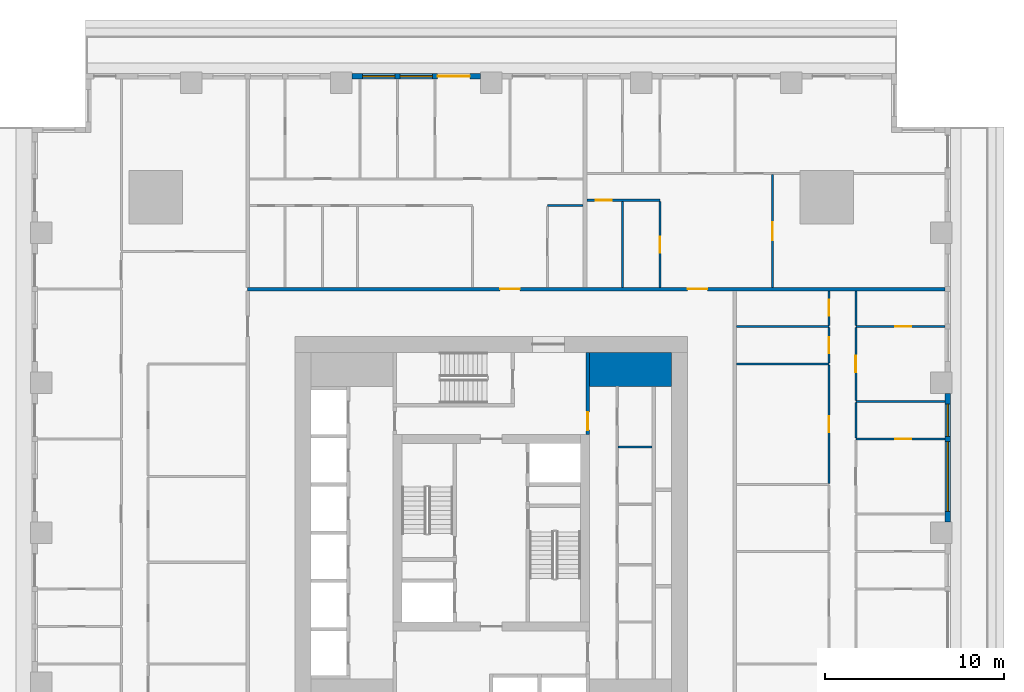
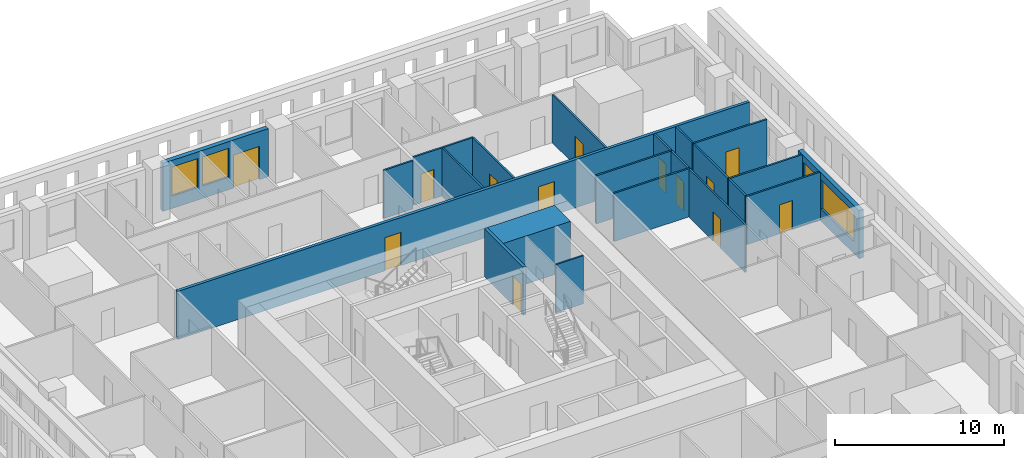
# One storey, part 8 of 15: 22 walls, 13 doors, 4 windows, 17 openings.
"""IFC4 building model written with IfcOpenShell, lengths in metres."""

from ifc_helpers import new_model, si_unit, direction, frame, frame_2d, origin, place, context, subcontext, project, spatial, rectangle, extrude, material, layer, layer_set, type_object, element, fill, save


model = new_model("IFC4")

# Units and contexts
model_context = context("Model", 3, precision=1e-05, world=origin(), true_north=direction((0.0, 1.0)))
body_context = subcontext(model_context, "Body", "Model", "MODEL_VIEW")
ifc_project = project(units=[si_unit("LENGTHUNIT", "METRE"), si_unit("AREAUNIT", "SQUARE_METRE"), si_unit("VOLUMEUNIT", "CUBIC_METRE"), si_unit("PLANEANGLEUNIT", "RADIAN"), si_unit("MASSUNIT", "GRAM", prefix="KILO")], contexts=[model_context])

# Site, building, storey
site_placement = place(None, origin())
site = spatial("IfcSite", under=ifc_project, at=site_placement, CompositionType="ELEMENT")
building_placement = place(site_placement, origin())
building = spatial("IfcBuilding", under=site, at=building_placement, Name="Khepri Terraces", CompositionType="ELEMENT")
storey_placement = place(building_placement, frame((0.0, 0.0, 46.5)))
storey = spatial("IfcBuildingStorey", under=building, at=storey_placement, Name="L10", CompositionType="ELEMENT", Elevation=46.5)

# Walls
ifc_material_1 = material(Name="Concrete C80/95", Category="concrete")
ifc_layer_1 = layer(ifc_material_1, 1.89990234375, Name="Concrete C80/95", Category="concrete")
ifc_layer_set_1 = layer_set([ifc_layer_1], Name="Concrete C80/95")
wall_type_1 = type_object("IfcWallType", Name="Core wall 1900 C80/95", PredefinedType="SHEAR", material=ifc_layer_set_1)
wall_1_placement = place(storey_placement, frame((5.5, 9.14990234375, 0.0), z_axis=(0.0, 0.0, 1.0), x_axis=(1.0, 0.0, 0.0)))
element("IfcWall", 1, at=wall_1_placement, inside=storey, type_object=wall_type_1, Name="Core wall PR04 L10", PredefinedType="SHEAR", context=body_context, shape_type="SweptSolid", body=[
    extrude(rectangle(XDim=4.60009765625, YDim=1.89990234375, at=frame_2d((2.300048828125, 0.0))), origin(), (0.0, 0.0, 1.0), 3.47998046875),
])
ifc_material_2 = material(Name="Fire-rated gypsum board partition")
ifc_layer_2 = layer(ifc_material_2, 0.10009765625, Name="Fire-rated gypsum board partition")
ifc_layer_set_2 = layer_set([ifc_layer_2], Name="Fire-rated gypsum board partition")
wall_type_2 = type_object("IfcWallType", Name="WL-CORE-PART-100", PredefinedType="PARTITIONING", material=ifc_layer_set_2)
wall_2_placement = place(storey_placement, frame((7.10009765625, 4.800048828125, 0.0), z_axis=(0.0, 0.0, 1.0), x_axis=(1.0, 0.0, 0.0)))
element("IfcWall", 2, at=wall_2_placement, inside=storey, type_object=wall_type_2, Name="Core partition PT07 L10", PredefinedType="PARTITIONING", context=body_context, shape_type="SweptSolid", body=[
    extrude(rectangle(XDim=1.89990234375, YDim=0.10009765625, at=frame_2d((0.949951171875, 0.0))), origin(), (0.0, 0.0, 1.0), 3.47998046875),
])

# Wall, opening, door
ifc_layer_3 = layer(ifc_material_2, 0.199951171875, Name="Fire-rated gypsum board partition")
ifc_layer_set_3 = layer_set([ifc_layer_3], Name="Fire-rated gypsum board partition")
wall_type_3 = type_object("IfcWallType", Name="WL-CORE-PART-200", PredefinedType="PARTITIONING", material=ifc_layer_set_3)
wall_3_placement = place(storey_placement, frame((5.39990234375, 5.5, 0.0), z_axis=(0.0, 0.0, 1.0), x_axis=(0.0, 1.0, 0.0)))
wall_3 = element("IfcWall", 3, at=wall_3_placement, inside=storey, type_object=wall_type_3, Name="Core partition PT09 L10", PredefinedType="PARTITIONING", context=body_context, shape_type="SweptSolid", body=[
    extrude(rectangle(XDim=4.60009765625, YDim=0.199951171875, at=frame_2d((2.300048828125, 0.0))), origin(), (0.0, 0.0, 1.0), 3.47998046875),
])
opening_1_placement = place(wall_3_placement, frame((0.25, 0.0, 0.0)))
opening_1 = element("IfcOpeningElement", 4, at=opening_1_placement, cuts=wall_3, Name="Opening L10-C17", PredefinedType="OPENING", context=body_context, shape_type="SweptSolid", body=[
    extrude(rectangle(XDim=1.0, YDim=2.10009765625, at=frame_2d((0.5, 1.050048828125))), frame((0.0, 0.10986328125, 0.0), z_axis=(0.0, -1.0, 0.0), x_axis=(1.0, 0.0, 0.0)), (0.0, 0.0, 1.0), 0.219970703125),
])
ifc_material_3 = material(Name="Painted steel", Category="steel")
door_type_1 = type_object("IfcDoorType", Name="DR-CORE-LOBBY-1000", OperationType="NOTDEFINED", PredefinedType="DOOR", material=ifc_material_3)
door_1_placement = place(opening_1_placement, origin())
door_1 = element("IfcDoor", 5, at=door_1_placement, inside=storey, type_object=door_type_1, Name="Lobby door L10-C17", OperationType="SINGLE_SWING_LEFT", OverallHeight=2.10009765625, OverallWidth=1.0, PredefinedType="DOOR", context=body_context, shape_type="SweptSolid", body=[
    extrude(rectangle(XDim=1.0, YDim=2.10009765625, at=frame_2d((0.5, 1.050048828125))), frame((0.0, 0.02490234375, 0.0), z_axis=(0.0, -1.0, 0.0), x_axis=(1.0, 0.0, 0.0)), (0.0, 0.0, 1.0), 0.050048828125),
])
fill(opening_1, door_1)

# Wall, openings, doors
ifc_material_4 = material(Name="Fire-rated gypsum plasterboard partition, mineral wool")
ifc_layer_4 = layer(ifc_material_4, 0.199951171875, Name="Fire-rated gypsum plasterboard partition, mineral wool")
ifc_layer_set_4 = layer_set([ifc_layer_4], Name="Fire-rated gypsum plasterboard partition, mineral wool")
wall_type_4 = type_object("IfcWallType", Name="WL-CORR-200", PredefinedType="PARTITIONING", material=ifc_layer_set_4)
wall_4_placement = place(storey_placement, frame((-13.64990234375, 13.64990234375, 0.0), z_axis=(0.0, 0.0, 1.0), x_axis=(1.0, 0.0, 0.0)))
wall_4 = element("IfcWall", 6, at=wall_4_placement, inside=storey, type_object=wall_type_4, Name="Partition P-069 L10", PredefinedType="PARTITIONING", context=body_context, shape_type="SweptSolid", body=[
    extrude(rectangle(XDim=39.06982421875, YDim=0.199951171875, at=frame_2d((19.534912109375, 0.0))), origin(), (0.0, 0.0, 1.0), 3.47998046875),
])
opening_2_placement = place(wall_4_placement, frame((24.64990234375, 0.0, 0.0)))
opening_2 = element("IfcOpeningElement", 7, at=opening_2_placement, cuts=wall_4, Name="Opening D1", PredefinedType="OPENING", context=body_context, shape_type="SweptSolid", body=[
    extrude(rectangle(XDim=1.10009765625, YDim=2.39990234375, at=frame_2d((0.550048828125, 1.199951171875))), frame((0.0, 0.10986328125, 0.0), z_axis=(0.0, -1.0, 0.0), x_axis=(1.0, 0.0, 0.0)), (0.0, 0.0, 1.0), 0.219970703125),
])
opening_3_placement = place(wall_4_placement, frame((14.14990234375, 0.0, 0.0)))
opening_3 = element("IfcOpeningElement", 8, at=opening_3_placement, cuts=wall_4, Name="Opening D1", PredefinedType="OPENING", context=body_context, shape_type="SweptSolid", body=[
    extrude(rectangle(XDim=1.10009765625, YDim=2.39990234375, at=frame_2d((0.550048828125, 1.199951171875))), frame((0.0, 0.10986328125, 0.0), z_axis=(0.0, -1.0, 0.0), x_axis=(1.0, 0.0, 0.0)), (0.0, 0.0, 1.0), 0.219970703125),
])
ifc_material_5 = material(Name="Solid-core timber door leaf, flat entrance door", Category="wood")
door_type_2 = type_object("IfcDoorType", Name="DR-ENT-1100", OperationType="NOTDEFINED", PredefinedType="DOOR", material=ifc_material_5)
door_2_placement = place(opening_2_placement, origin())
door_2 = element("IfcDoor", 9, at=door_2_placement, inside=storey, type_object=door_type_2, Name="Flat C1 entrance door", OperationType="SINGLE_SWING_RIGHT", OverallHeight=2.39990234375, OverallWidth=1.10009765625, PredefinedType="DOOR", context=body_context, shape_type="SweptSolid", body=[
    extrude(rectangle(XDim=1.10009765625, YDim=2.39990234375, at=frame_2d((0.550048828125, 1.199951171875))), frame((0.0, 0.02490234375, 0.0), z_axis=(0.0, -1.0, 0.0), x_axis=(1.0, 0.0, 0.0)), (0.0, 0.0, 1.0), 0.050048828125),
])
fill(opening_2, door_2)
door_3_placement = place(opening_3_placement, origin())
door_3 = element("IfcDoor", 10, at=door_3_placement, inside=storey, type_object=door_type_2, Name="Flat C2 entrance door", OperationType="SINGLE_SWING_LEFT", OverallHeight=2.39990234375, OverallWidth=1.10009765625, PredefinedType="DOOR", context=body_context, shape_type="SweptSolid", body=[
    extrude(rectangle(XDim=1.10009765625, YDim=2.39990234375, at=frame_2d((0.550048828125, 1.199951171875))), frame((0.0, 0.02490234375, 0.0), z_axis=(0.0, -1.0, 0.0), x_axis=(1.0, 0.0, 0.0)), (0.0, 0.0, 1.0), 0.050048828125),
])
fill(opening_3, door_3)

# Wall, openings, windows
ifc_material_6 = material(Name="Precast concrete C50/60 warm stone", Category="masonry")
ifc_layer_5 = layer(ifc_material_6, 0.300048828125, Name="Precast concrete C50/60 warm stone", Category="masonry")
ifc_layer_set_5 = layer_set([ifc_layer_5], Name="Precast concrete C50/60 warm stone")
wall_type_5 = type_object("IfcWallType", Name="WL-EXT-PRECAST-300", PredefinedType="STANDARD", material=ifc_layer_set_5)
wall_5_placement = place(storey_placement, frame((25.570068359375, 0.60009765625, 0.0), z_axis=(0.0, 0.0, 1.0), x_axis=(0.0, 1.0, 0.0)))
wall_5 = element("IfcWall", 11, at=wall_5_placement, inside=storey, type_object=wall_type_5, Name="External wall L10 E", PredefinedType="STANDARD", context=body_context, shape_type="SweptSolid", body=[
    extrude(rectangle(XDim=7.199951171875, YDim=0.300048828125, at=frame_2d((3.60009765625, 0.0))), origin(), (0.0, 0.0, 1.0), 3.47998046875),
])
opening_4_placement = place(wall_5_placement, frame((0.60009765625, 0.0, 0.89990234375)))
opening_4 = element("IfcOpeningElement", 12, at=opening_4_placement, cuts=wall_5, Name="Opening W2", PredefinedType="OPENING", context=body_context, shape_type="SweptSolid", body=[
    extrude(rectangle(XDim=3.89990234375, YDim=2.10009765625, at=frame_2d((1.949951171875, 1.050048828125))), frame((0.0, 0.16015625, 0.0), z_axis=(0.0, -1.0, 0.0), x_axis=(1.0, 0.0, 0.0)), (0.0, 0.0, 1.0), 0.320068359375),
])
opening_5_placement = place(wall_5_placement, frame((4.800048828125, 0.0, 0.89990234375)))
opening_5 = element("IfcOpeningElement", 13, at=opening_5_placement, cuts=wall_5, Name="Opening W1", PredefinedType="OPENING", context=body_context, shape_type="SweptSolid", body=[
    extrude(rectangle(XDim=1.800048828125, YDim=2.10009765625, at=frame_2d((0.89990234375, 1.050048828125))), frame((0.0, 0.16015625, 0.0), z_axis=(0.0, -1.0, 0.0), x_axis=(1.0, 0.0, 0.0)), (0.0, 0.0, 1.0), 0.320068359375),
])
ifc_material_7 = material(Name="Clear glass", Category="glass")
window_type_1 = type_object("IfcWindowType", Name="WIN-RES-1800x2100", PartitioningType="SINGLE_PANEL", PredefinedType="WINDOW", material=ifc_material_7)
window_1_placement = place(opening_5_placement, origin())
window_1 = element("IfcWindow", 14, at=window_1_placement, inside=storey, type_object=window_type_1, Name="Window L10 E", OverallHeight=2.10009765625, OverallWidth=1.800048828125, PartitioningType="SINGLE_PANEL", PredefinedType="WINDOW", context=body_context, shape_type="SweptSolid", body=[
    extrude(rectangle(XDim=1.800048828125, YDim=2.10009765625, at=frame_2d((0.89990234375, 1.050048828125))), frame((0.0, 0.030029296875, 0.0), z_axis=(0.0, -1.0, 0.0), x_axis=(1.0, 0.0, 0.0)), (0.0, 0.0, 1.0), 0.06005859375),
])
fill(opening_5, window_1)
window_type_2 = type_object("IfcWindowType", Name="WIN-RES-3900x2100", PartitioningType="SINGLE_PANEL", PredefinedType="WINDOW", material=ifc_material_7)
window_2_placement = place(opening_4_placement, origin())
window_2 = element("IfcWindow", 15, at=window_2_placement, inside=storey, type_object=window_type_2, Name="Window L10 E", OverallHeight=2.10009765625, OverallWidth=3.89990234375, PartitioningType="SINGLE_PANEL", PredefinedType="WINDOW", context=body_context, shape_type="SweptSolid", body=[
    extrude(rectangle(XDim=3.89990234375, YDim=2.10009765625, at=frame_2d((1.949951171875, 1.050048828125))), frame((0.0, 0.030029296875, 0.0), z_axis=(0.0, -1.0, 0.0), x_axis=(1.0, 0.0, 0.0)), (0.0, 0.0, 1.0), 0.06005859375),
])
fill(opening_4, window_2)

# Wall, openings, door, windows
wall_6_placement = place(storey_placement, frame((-0.60009765625, 25.570068359375, 0.0), z_axis=(0.0, 0.0, 1.0), x_axis=(-1.0, 0.0, 0.0)))
wall_6 = element("IfcWall", 16, at=wall_6_placement, inside=storey, type_object=wall_type_5, Name="External wall L10 N", PredefinedType="STANDARD", context=body_context, shape_type="SweptSolid", body=[
    extrude(rectangle(XDim=7.199951171875, YDim=0.300048828125, at=frame_2d((3.60009765625, 0.0))), origin(), (0.0, 0.0, 1.0), 3.47998046875),
])
opening_6_placement = place(wall_6_placement, frame((0.60009765625, 0.0, 0.0)))
opening_6 = element("IfcOpeningElement", 17, at=opening_6_placement, cuts=wall_6, Name="Opening ED-L10-10", PredefinedType="OPENING", context=body_context, shape_type="SweptSolid", body=[
    extrude(rectangle(XDim=1.800048828125, YDim=2.39990234375, at=frame_2d((0.89990234375, 1.199951171875))), frame((0.0, 0.16015625, 0.0), z_axis=(0.0, -1.0, 0.0), x_axis=(1.0, 0.0, 0.0)), (0.0, 0.0, 1.0), 0.320068359375),
])
opening_7_placement = place(wall_6_placement, frame((2.699951171875, 0.0, 0.89990234375)))
opening_7 = element("IfcOpeningElement", 18, at=opening_7_placement, cuts=wall_6, Name="Opening W1", PredefinedType="OPENING", context=body_context, shape_type="SweptSolid", body=[
    extrude(rectangle(XDim=1.800048828125, YDim=2.10009765625, at=frame_2d((0.89990234375, 1.050048828125))), frame((0.0, 0.16015625, 0.0), z_axis=(0.0, -1.0, 0.0), x_axis=(1.0, 0.0, 0.0)), (0.0, 0.0, 1.0), 0.320068359375),
])
opening_8_placement = place(wall_6_placement, frame((4.800048828125, 0.0, 0.89990234375)))
opening_8 = element("IfcOpeningElement", 19, at=opening_8_placement, cuts=wall_6, Name="Opening W1", PredefinedType="OPENING", context=body_context, shape_type="SweptSolid", body=[
    extrude(rectangle(XDim=1.800048828125, YDim=2.10009765625, at=frame_2d((0.89990234375, 1.050048828125))), frame((0.0, 0.16015625, 0.0), z_axis=(0.0, -1.0, 0.0), x_axis=(1.0, 0.0, 0.0)), (0.0, 0.0, 1.0), 0.320068359375),
])
ifc_material_8 = material(Name="Anodised aluminium bronze glazed door", Category="aluminium")
door_type_3 = type_object("IfcDoorType", Name="DR-BAL-SLIDE-1800x2400", OperationType="NOTDEFINED", PredefinedType="DOOR", material=ifc_material_8)
door_4_placement = place(opening_6_placement, origin())
door_4 = element("IfcDoor", 20, at=door_4_placement, inside=storey, type_object=door_type_3, Name="Balcony door L10 N", OperationType="SLIDING_TO_LEFT", OverallHeight=2.39990234375, OverallWidth=1.800048828125, PredefinedType="DOOR", context=body_context, shape_type="SweptSolid", body=[
    extrude(rectangle(XDim=1.800048828125, YDim=2.39990234375, at=frame_2d((0.89990234375, 1.199951171875))), frame((0.0, 0.02490234375, 0.0), z_axis=(0.0, -1.0, 0.0), x_axis=(1.0, 0.0, 0.0)), (0.0, 0.0, 1.0), 0.050048828125),
])
fill(opening_6, door_4)
window_3_placement = place(opening_7_placement, origin())
window_3 = element("IfcWindow", 21, at=window_3_placement, inside=storey, type_object=window_type_1, Name="Window L10 N", OverallHeight=2.10009765625, OverallWidth=1.800048828125, PartitioningType="SINGLE_PANEL", PredefinedType="WINDOW", context=body_context, shape_type="SweptSolid", body=[
    extrude(rectangle(XDim=1.800048828125, YDim=2.10009765625, at=frame_2d((0.89990234375, 1.050048828125))), frame((0.0, 0.030029296875, 0.0), z_axis=(0.0, -1.0, 0.0), x_axis=(1.0, 0.0, 0.0)), (0.0, 0.0, 1.0), 0.06005859375),
])
fill(opening_7, window_3)
window_4_placement = place(opening_8_placement, origin())
window_4 = element("IfcWindow", 22, at=window_4_placement, inside=storey, type_object=window_type_1, Name="Window L10 N", OverallHeight=2.10009765625, OverallWidth=1.800048828125, PartitioningType="SINGLE_PANEL", PredefinedType="WINDOW", context=body_context, shape_type="SweptSolid", body=[
    extrude(rectangle(XDim=1.800048828125, YDim=2.10009765625, at=frame_2d((0.89990234375, 1.050048828125))), frame((0.0, 0.030029296875, 0.0), z_axis=(0.0, -1.0, 0.0), x_axis=(1.0, 0.0, 0.0)), (0.0, 0.0, 1.0), 0.06005859375),
])
fill(opening_8, window_4)

# Wall, opening, door
ifc_material_9 = material(Name="Gypsum plasterboard partition")
ifc_layer_6 = layer(ifc_material_9, 0.1201171875, Name="Gypsum plasterboard partition")
ifc_layer_set_6 = layer_set([ifc_layer_6], Name="Gypsum plasterboard partition")
wall_type_6 = type_object("IfcWallType", Name="WL-PART-120", PredefinedType="PARTITIONING", material=ifc_layer_set_6)
wall_7_placement = place(storey_placement, frame((18.919921875, 2.760009765625, 0.0), z_axis=(0.0, 0.0, 1.0), x_axis=(0.0, 1.0, 0.0)))
wall_7 = element("IfcWall", 23, at=wall_7_placement, inside=storey, type_object=wall_type_6, Name="Partition P-052 L10", PredefinedType="PARTITIONING", context=body_context, shape_type="SweptSolid", body=[
    extrude(rectangle(XDim=6.6298828125, YDim=0.1201171875, at=frame_2d((3.31494140625, 0.0))), origin(), (0.0, 0.0, 1.0), 3.47998046875),
])
opening_9_placement = place(wall_7_placement, frame((2.864990234375, 0.0, 0.0)))
opening_9 = element("IfcOpeningElement", 24, at=opening_9_placement, cuts=wall_7, Name="Opening D3", PredefinedType="OPENING", context=body_context, shape_type="SweptSolid", body=[
    extrude(rectangle(XDim=0.89990234375, YDim=2.10009765625, at=frame_2d((0.449951171875, 1.050048828125))), frame((0.0, 0.070068359375, 0.0), z_axis=(0.0, -1.0, 0.0), x_axis=(1.0, 0.0, 0.0)), (0.0, 0.0, 1.0), 0.14013671875),
])
ifc_material_10 = material(Name="Timber door leaf", Category="wood")
door_type_4 = type_object("IfcDoorType", Name="DR-INT-900", OperationType="NOTDEFINED", PredefinedType="DOOR", material=ifc_material_10)
door_5_placement = place(opening_9_placement, origin())
door_5 = element("IfcDoor", 25, at=door_5_placement, inside=storey, type_object=door_type_4, Name="Door Staff Bedroom", OperationType="SINGLE_SWING_LEFT", OverallHeight=2.10009765625, OverallWidth=0.89990234375, PredefinedType="DOOR", context=body_context, shape_type="SweptSolid", body=[
    extrude(rectangle(XDim=0.89990234375, YDim=2.10009765625, at=frame_2d((0.449951171875, 1.050048828125))), frame((0.0, 0.02490234375, 0.0), z_axis=(0.0, -1.0, 0.0), x_axis=(1.0, 0.0, 0.0)), (0.0, 0.0, 1.0), 0.050048828125),
])
fill(opening_9, door_5)

wall_8_placement = place(storey_placement, frame((20.419921875, 5.25, 0.0), z_axis=(0.0, 0.0, 1.0), x_axis=(1.0, 0.0, 0.0)))
wall_8 = element("IfcWall", 26, at=wall_8_placement, inside=storey, type_object=wall_type_6, Name="Partition P-056 L10", PredefinedType="PARTITIONING", context=body_context, shape_type="SweptSolid", body=[
    extrude(rectangle(XDim=5.0, YDim=0.1201171875, at=frame_2d((2.5, 0.0))), origin(), (0.0, 0.0, 1.0), 3.47998046875),
])
opening_10_placement = place(wall_8_placement, frame((2.199951171875, 0.0, 0.0)))
opening_10 = element("IfcOpeningElement", 27, at=opening_10_placement, cuts=wall_8, Name="Opening D4", PredefinedType="OPENING", context=body_context, shape_type="SweptSolid", body=[
    extrude(rectangle(XDim=0.89990234375, YDim=2.10009765625, at=frame_2d((0.449951171875, 1.050048828125))), frame((0.0, 0.070068359375, 0.0), z_axis=(0.0, -1.0, 0.0), x_axis=(1.0, 0.0, 0.0)), (0.0, 0.0, 1.0), 0.14013671875),
])
ifc_material_11 = material(Name="Timber door leaf, moisture resistant", Category="wood")
door_type_5 = type_object("IfcDoorType", Name="DR-WET-900", OperationType="NOTDEFINED", PredefinedType="DOOR", material=ifc_material_11)
door_6_placement = place(opening_10_placement, origin())
door_6 = element("IfcDoor", 28, at=door_6_placement, inside=storey, type_object=door_type_5, Name="Door Bathroom", OperationType="SINGLE_SWING_RIGHT", OverallHeight=2.10009765625, OverallWidth=0.89990234375, PredefinedType="DOOR", context=body_context, shape_type="SweptSolid", body=[
    extrude(rectangle(XDim=0.89990234375, YDim=2.10009765625, at=frame_2d((0.449951171875, 1.050048828125))), frame((0.0, 0.02490234375, 0.0), z_axis=(0.0, -1.0, 0.0), x_axis=(1.0, 0.0, 0.0)), (0.0, 0.0, 1.0), 0.050048828125),
])
fill(opening_10, door_6)

# Walls
wall_9_placement = place(storey_placement, frame((20.419921875, 5.31005859375, 0.0), z_axis=(0.0, 0.0, 1.0), x_axis=(0.0, 1.0, 0.0)))
element("IfcWall", 29, at=wall_9_placement, inside=storey, type_object=wall_type_6, Name="Partition P-058 L10", PredefinedType="PARTITIONING", context=body_context, shape_type="SweptSolid", body=[
    extrude(rectangle(XDim=1.97998046875, YDim=0.1201171875, at=frame_2d((0.989990234375, 0.0))), origin(), (0.0, 0.0, 1.0), 3.47998046875),
])
wall_10_placement = place(storey_placement, frame((20.419921875, 7.35009765625, 0.0), z_axis=(0.0, 0.0, 1.0), x_axis=(1.0, 0.0, 0.0)))
element("IfcWall", 30, at=wall_10_placement, inside=storey, type_object=wall_type_6, Name="Partition P-059 L10", PredefinedType="PARTITIONING", context=body_context, shape_type="SweptSolid", body=[
    extrude(rectangle(XDim=5.0, YDim=0.1201171875, at=frame_2d((2.5, 0.0))), origin(), (0.0, 0.0, 1.0), 3.47998046875),
])

# Wall, opening, door
wall_11_placement = place(storey_placement, frame((20.419921875, 7.409912109375, 0.0), z_axis=(0.0, 0.0, 1.0), x_axis=(0.0, 1.0, 0.0)))
wall_11 = element("IfcWall", 31, at=wall_11_placement, inside=storey, type_object=wall_type_6, Name="Partition P-060 L10", PredefinedType="PARTITIONING", context=body_context, shape_type="SweptSolid", body=[
    extrude(rectangle(XDim=4.080078125, YDim=0.1201171875, at=frame_2d((2.0400390625, 0.0))), origin(), (0.0, 0.0, 1.0), 3.47998046875),
])
opening_11_placement = place(wall_11_placement, frame((1.590087890625, 0.0, 0.0)))
opening_11 = element("IfcOpeningElement", 32, at=opening_11_placement, cuts=wall_11, Name="Opening D3", PredefinedType="OPENING", context=body_context, shape_type="SweptSolid", body=[
    extrude(rectangle(XDim=0.89990234375, YDim=2.10009765625, at=frame_2d((0.449951171875, 1.050048828125))), frame((0.0, 0.070068359375, 0.0), z_axis=(0.0, -1.0, 0.0), x_axis=(1.0, 0.0, 0.0)), (0.0, 0.0, 1.0), 0.14013671875),
])
door_7_placement = place(opening_11_placement, frame((0.89990234375, 0.0, 0.0), z_axis=(0.0, 0.0, 1.0), x_axis=(-1.0, 0.0, 0.0)))
door_7 = element("IfcDoor", 33, at=door_7_placement, inside=storey, type_object=door_type_4, Name="Door Bedroom", OperationType="SINGLE_SWING_RIGHT", OverallHeight=2.10009765625, OverallWidth=0.89990234375, PredefinedType="DOOR", context=body_context, shape_type="SweptSolid", body=[
    extrude(rectangle(XDim=0.89990234375, YDim=2.10009765625, at=frame_2d((0.449951171875, 1.050048828125))), frame((0.0, 0.02490234375, 0.0), z_axis=(0.0, -1.0, 0.0), x_axis=(1.0, 0.0, 0.0)), (0.0, 0.0, 1.0), 0.050048828125),
])
fill(opening_11, door_7)

# Wall
wall_12_placement = place(storey_placement, frame((13.75, 9.449951171875, 0.0), z_axis=(0.0, 0.0, 1.0), x_axis=(1.0, 0.0, 0.0)))
element("IfcWall", 34, at=wall_12_placement, inside=storey, type_object=wall_type_6, Name="Partition P-062 L10", PredefinedType="PARTITIONING", context=body_context, shape_type="SweptSolid", body=[
    extrude(rectangle(XDim=5.169921875, YDim=0.1201171875, at=frame_2d((2.5849609375, 0.0))), origin(), (0.0, 0.0, 1.0), 3.47998046875),
])

# Wall, opening, door
wall_13_placement = place(storey_placement, frame((18.919921875, 9.510009765625, 0.0), z_axis=(0.0, 0.0, 1.0), x_axis=(0.0, 1.0, 0.0)))
wall_13 = element("IfcWall", 35, at=wall_13_placement, inside=storey, type_object=wall_type_6, Name="Partition P-063 L10", PredefinedType="PARTITIONING", context=body_context, shape_type="SweptSolid", body=[
    extrude(rectangle(XDim=1.97998046875, YDim=0.1201171875, at=frame_2d((0.989990234375, 0.0))), origin(), (0.0, 0.0, 1.0), 3.47998046875),
])
opening_12_placement = place(wall_13_placement, frame((0.5400390625, 0.0, 0.0)))
opening_12 = element("IfcOpeningElement", 36, at=opening_12_placement, cuts=wall_13, Name="Opening D4", PredefinedType="OPENING", context=body_context, shape_type="SweptSolid", body=[
    extrude(rectangle(XDim=0.89990234375, YDim=2.10009765625, at=frame_2d((0.449951171875, 1.050048828125))), frame((0.0, 0.070068359375, 0.0), z_axis=(0.0, -1.0, 0.0), x_axis=(1.0, 0.0, 0.0)), (0.0, 0.0, 1.0), 0.14013671875),
])
door_8_placement = place(opening_12_placement, origin())
door_8 = element("IfcDoor", 37, at=door_8_placement, inside=storey, type_object=door_type_5, Name="Door Guest Bathroom", OperationType="SINGLE_SWING_RIGHT", OverallHeight=2.10009765625, OverallWidth=0.89990234375, PredefinedType="DOOR", context=body_context, shape_type="SweptSolid", body=[
    extrude(rectangle(XDim=0.89990234375, YDim=2.10009765625, at=frame_2d((0.449951171875, 1.050048828125))), frame((0.0, 0.02490234375, 0.0), z_axis=(0.0, -1.0, 0.0), x_axis=(1.0, 0.0, 0.0)), (0.0, 0.0, 1.0), 0.050048828125),
])
fill(opening_12, door_8)

# Wall
wall_14_placement = place(storey_placement, frame((13.75, 11.550048828125, 0.0), z_axis=(0.0, 0.0, 1.0), x_axis=(1.0, 0.0, 0.0)))
element("IfcWall", 38, at=wall_14_placement, inside=storey, type_object=wall_type_6, Name="Partition P-064 L10", PredefinedType="PARTITIONING", context=body_context, shape_type="SweptSolid", body=[
    extrude(rectangle(XDim=5.169921875, YDim=0.1201171875, at=frame_2d((2.5849609375, 0.0))), origin(), (0.0, 0.0, 1.0), 3.47998046875),
])

# Wall, opening, door
wall_15_placement = place(storey_placement, frame((20.419921875, 11.550048828125, 0.0), z_axis=(0.0, 0.0, 1.0), x_axis=(1.0, 0.0, 0.0)))
wall_15 = element("IfcWall", 39, at=wall_15_placement, inside=storey, type_object=wall_type_6, Name="Partition P-065 L10", PredefinedType="PARTITIONING", context=body_context, shape_type="SweptSolid", body=[
    extrude(rectangle(XDim=5.0, YDim=0.1201171875, at=frame_2d((2.5, 0.0))), origin(), (0.0, 0.0, 1.0), 3.47998046875),
])
opening_13_placement = place(wall_15_placement, frame((2.199951171875, 0.0, 0.0)))
opening_13 = element("IfcOpeningElement", 40, at=opening_13_placement, cuts=wall_15, Name="Opening D4", PredefinedType="OPENING", context=body_context, shape_type="SweptSolid", body=[
    extrude(rectangle(XDim=0.89990234375, YDim=2.10009765625, at=frame_2d((0.449951171875, 1.050048828125))), frame((0.0, 0.070068359375, 0.0), z_axis=(0.0, -1.0, 0.0), x_axis=(1.0, 0.0, 0.0)), (0.0, 0.0, 1.0), 0.14013671875),
])
door_9_placement = place(opening_13_placement, origin())
door_9 = element("IfcDoor", 41, at=door_9_placement, inside=storey, type_object=door_type_5, Name="Door Bathroom", OperationType="SINGLE_SWING_RIGHT", OverallHeight=2.10009765625, OverallWidth=0.89990234375, PredefinedType="DOOR", context=body_context, shape_type="SweptSolid", body=[
    extrude(rectangle(XDim=0.89990234375, YDim=2.10009765625, at=frame_2d((0.449951171875, 1.050048828125))), frame((0.0, 0.02490234375, 0.0), z_axis=(0.0, -1.0, 0.0), x_axis=(1.0, 0.0, 0.0)), (0.0, 0.0, 1.0), 0.050048828125),
])
fill(opening_13, door_9)

wall_16_placement = place(storey_placement, frame((18.919921875, 11.610107421875, 0.0), z_axis=(0.0, 0.0, 1.0), x_axis=(0.0, 1.0, 0.0)))
wall_16 = element("IfcWall", 42, at=wall_16_placement, inside=storey, type_object=wall_type_6, Name="Partition P-066 L10", PredefinedType="PARTITIONING", context=body_context, shape_type="SweptSolid", body=[
    extrude(rectangle(XDim=1.93994140625, YDim=0.1201171875, at=frame_2d((0.969970703125, 0.0))), origin(), (0.0, 0.0, 1.0), 3.47998046875),
])
opening_14_placement = place(wall_16_placement, frame((0.5400390625, 0.0, 0.0)))
opening_14 = element("IfcOpeningElement", 43, at=opening_14_placement, cuts=wall_16, Name="Opening D3", PredefinedType="OPENING", context=body_context, shape_type="SweptSolid", body=[
    extrude(rectangle(XDim=0.89990234375, YDim=2.10009765625, at=frame_2d((0.449951171875, 1.050048828125))), frame((0.0, 0.070068359375, 0.0), z_axis=(0.0, -1.0, 0.0), x_axis=(1.0, 0.0, 0.0)), (0.0, 0.0, 1.0), 0.14013671875),
])
door_10_placement = place(opening_14_placement, origin())
door_10 = element("IfcDoor", 44, at=door_10_placement, inside=storey, type_object=door_type_4, Name="Door Utility Room", OperationType="SINGLE_SWING_RIGHT", OverallHeight=2.10009765625, OverallWidth=0.89990234375, PredefinedType="DOOR", context=body_context, shape_type="SweptSolid", body=[
    extrude(rectangle(XDim=0.89990234375, YDim=2.10009765625, at=frame_2d((0.449951171875, 1.050048828125))), frame((0.0, 0.02490234375, 0.0), z_axis=(0.0, -1.0, 0.0), x_axis=(1.0, 0.0, 0.0)), (0.0, 0.0, 1.0), 0.050048828125),
])
fill(opening_14, door_10)

# Walls
wall_17_placement = place(storey_placement, frame((20.419921875, 11.610107421875, 0.0), z_axis=(0.0, 0.0, 1.0), x_axis=(0.0, 1.0, 0.0)))
element("IfcWall", 45, at=wall_17_placement, inside=storey, type_object=wall_type_6, Name="Partition P-067 L10", PredefinedType="PARTITIONING", context=body_context, shape_type="SweptSolid", body=[
    extrude(rectangle(XDim=1.93994140625, YDim=0.1201171875, at=frame_2d((0.969970703125, 0.0))), origin(), (0.0, 0.0, 1.0), 3.47998046875),
])
wall_18_placement = place(storey_placement, frame((7.35009765625, 13.75, 0.0), z_axis=(0.0, 0.0, 1.0), x_axis=(0.0, 1.0, 0.0)))
element("IfcWall", 46, at=wall_18_placement, inside=storey, type_object=wall_type_6, Name="Partition P-078 L10", PredefinedType="PARTITIONING", context=body_context, shape_type="SweptSolid", body=[
    extrude(rectangle(XDim=4.81005859375, YDim=0.1201171875, at=frame_2d((2.405029296875, 0.0))), origin(), (0.0, 0.0, 1.0), 3.47998046875),
])

# Wall, opening, door
wall_19_placement = place(storey_placement, frame((9.449951171875, 13.75, 0.0), z_axis=(0.0, 0.0, 1.0), x_axis=(0.0, 1.0, 0.0)))
wall_19 = element("IfcWall", 47, at=wall_19_placement, inside=storey, type_object=wall_type_6, Name="Partition P-079 L10", PredefinedType="PARTITIONING", context=body_context, shape_type="SweptSolid", body=[
    extrude(rectangle(XDim=4.81005859375, YDim=0.1201171875, at=frame_2d((2.405029296875, 0.0))), origin(), (0.0, 0.0, 1.0), 3.47998046875),
])
opening_15_placement = place(wall_19_placement, frame((1.93505859375, 0.0, 0.0)))
opening_15 = element("IfcOpeningElement", 48, at=opening_15_placement, cuts=wall_19, Name="Opening D4", PredefinedType="OPENING", context=body_context, shape_type="SweptSolid", body=[
    extrude(rectangle(XDim=0.89990234375, YDim=2.10009765625, at=frame_2d((0.449951171875, 1.050048828125))), frame((0.0, 0.070068359375, 0.0), z_axis=(0.0, -1.0, 0.0), x_axis=(1.0, 0.0, 0.0)), (0.0, 0.0, 1.0), 0.14013671875),
])
door_11_placement = place(opening_15_placement, origin())
door_11 = element("IfcDoor", 49, at=door_11_placement, inside=storey, type_object=door_type_5, Name="Door Guest Bathroom", OperationType="SINGLE_SWING_LEFT", OverallHeight=2.10009765625, OverallWidth=0.89990234375, PredefinedType="DOOR", context=body_context, shape_type="SweptSolid", body=[
    extrude(rectangle(XDim=0.89990234375, YDim=2.10009765625, at=frame_2d((0.449951171875, 1.050048828125))), frame((0.0, 0.02490234375, 0.0), z_axis=(0.0, -1.0, 0.0), x_axis=(1.0, 0.0, 0.0)), (0.0, 0.0, 1.0), 0.050048828125),
])
fill(opening_15, door_11)

wall_20_placement = place(storey_placement, frame((15.75, 13.75, 0.0), z_axis=(0.0, 0.0, 1.0), x_axis=(0.0, 1.0, 0.0)))
wall_20 = element("IfcWall", 50, at=wall_20_placement, inside=storey, type_object=wall_type_6, Name="Partition P-080 L10", PredefinedType="PARTITIONING", context=body_context, shape_type="SweptSolid", body=[
    extrude(rectangle(XDim=6.31005859375, YDim=0.1201171875, at=frame_2d((3.155029296875, 0.0))), origin(), (0.0, 0.0, 1.0), 3.47998046875),
])
opening_16_placement = place(wall_20_placement, frame((2.635009765625, 0.0, 0.0)))
opening_16 = element("IfcOpeningElement", 51, at=opening_16_placement, cuts=wall_20, Name="Opening D2", PredefinedType="OPENING", context=body_context, shape_type="SweptSolid", body=[
    extrude(rectangle(XDim=1.0, YDim=2.10009765625, at=frame_2d((0.5, 1.050048828125))), frame((0.0, 0.070068359375, 0.0), z_axis=(0.0, -1.0, 0.0), x_axis=(1.0, 0.0, 0.0)), (0.0, 0.0, 1.0), 0.14013671875),
])
ifc_material_12 = material(Name="Timber door leaf, living room door", Category="wood")
door_type_6 = type_object("IfcDoorType", Name="DR-INT-1000", OperationType="NOTDEFINED", PredefinedType="DOOR", material=ifc_material_12)
door_12_placement = place(opening_16_placement, frame((1.0, 0.0, 0.0), z_axis=(0.0, 0.0, 1.0), x_axis=(-1.0, 0.0, 0.0)))
door_12 = element("IfcDoor", 52, at=door_12_placement, inside=storey, type_object=door_type_6, Name="Door Family Room", OperationType="SINGLE_SWING_RIGHT", OverallHeight=2.10009765625, OverallWidth=1.0, PredefinedType="DOOR", context=body_context, shape_type="SweptSolid", body=[
    extrude(rectangle(XDim=1.0, YDim=2.10009765625, at=frame_2d((0.5, 1.050048828125))), frame((0.0, 0.02490234375, 0.0), z_axis=(0.0, -1.0, 0.0), x_axis=(1.0, 0.0, 0.0)), (0.0, 0.0, 1.0), 0.050048828125),
])
fill(opening_16, door_12)

# Wall
wall_21_placement = place(storey_placement, frame((3.14990234375, 18.320068359375, 0.0), z_axis=(0.0, 0.0, 1.0), x_axis=(1.0, 0.0, 0.0)))
element("IfcWall", 53, at=wall_21_placement, inside=storey, type_object=wall_type_6, Name="Partition P-084 L10", PredefinedType="PARTITIONING", context=body_context, shape_type="SweptSolid", body=[
    extrude(rectangle(XDim=2.0, YDim=0.1201171875, at=frame_2d((1.0, 0.0))), origin(), (0.0, 0.0, 1.0), 3.47998046875),
])

# Wall, opening, door
wall_22_placement = place(storey_placement, frame((5.35009765625, 18.6201171875, 0.0), z_axis=(0.0, 0.0, 1.0), x_axis=(1.0, 0.0, 0.0)))
wall_22 = element("IfcWall", 54, at=wall_22_placement, inside=storey, type_object=wall_type_6, Name="Partition P-085 L10", PredefinedType="PARTITIONING", context=body_context, shape_type="SweptSolid", body=[
    extrude(rectangle(XDim=4.099853515625, YDim=0.1201171875, at=frame_2d((2.0498046875, 0.0))), origin(), (0.0, 0.0, 1.0), 3.47998046875),
])
opening_17_placement = place(wall_22_placement, frame((0.5, 0.0, 0.0)))
opening_17 = element("IfcOpeningElement", 55, at=opening_17_placement, cuts=wall_22, Name="Opening D3", PredefinedType="OPENING", context=body_context, shape_type="SweptSolid", body=[
    extrude(rectangle(XDim=0.89990234375, YDim=2.10009765625, at=frame_2d((0.449951171875, 1.050048828125))), frame((0.0, 0.070068359375, 0.0), z_axis=(0.0, -1.0, 0.0), x_axis=(1.0, 0.0, 0.0)), (0.0, 0.0, 1.0), 0.14013671875),
])
door_13_placement = place(opening_17_placement, frame((0.89990234375, 0.0, 0.0), z_axis=(0.0, 0.0, 1.0), x_axis=(-1.0, 0.0, 0.0)))
door_13 = element("IfcDoor", 56, at=door_13_placement, inside=storey, type_object=door_type_4, Name="Door Kitchen", OperationType="SINGLE_SWING_RIGHT", OverallHeight=2.10009765625, OverallWidth=0.89990234375, PredefinedType="DOOR", context=body_context, shape_type="SweptSolid", body=[
    extrude(rectangle(XDim=0.89990234375, YDim=2.10009765625, at=frame_2d((0.449951171875, 1.050048828125))), frame((0.0, 0.02490234375, 0.0), z_axis=(0.0, -1.0, 0.0), x_axis=(1.0, 0.0, 0.0)), (0.0, 0.0, 1.0), 0.050048828125),
])
fill(opening_17, door_13)

save(model, "model.ifc")
